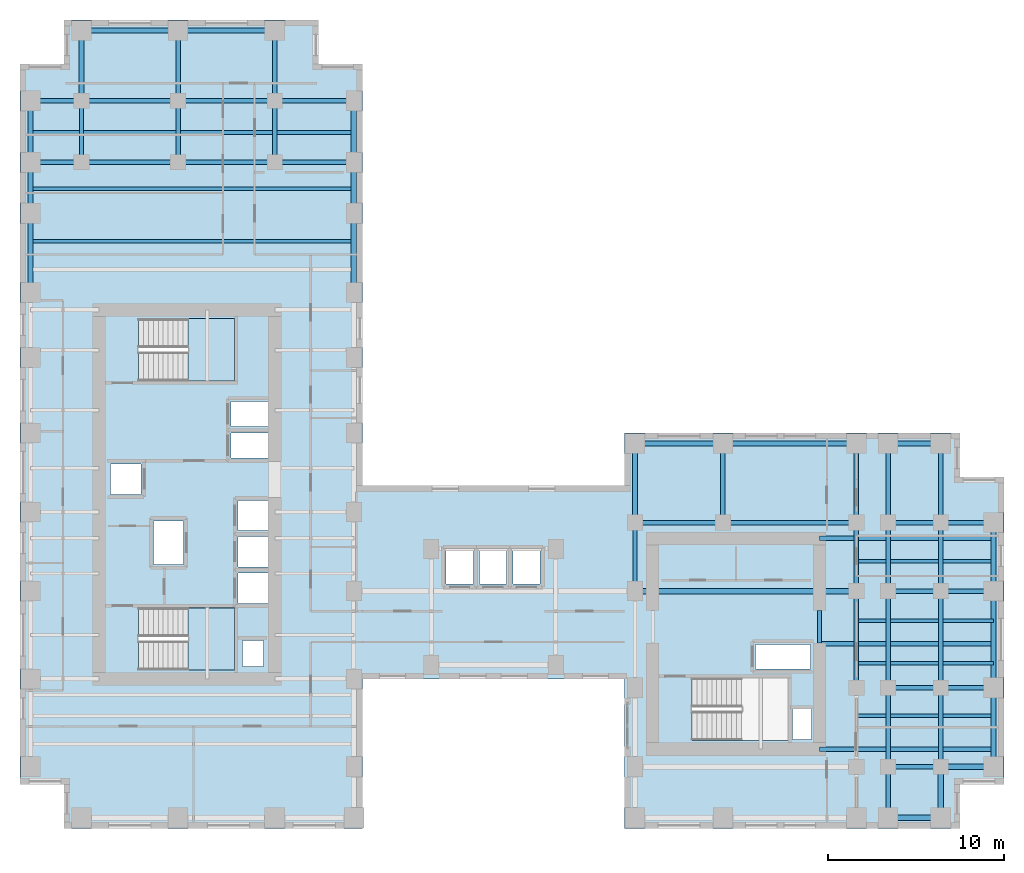
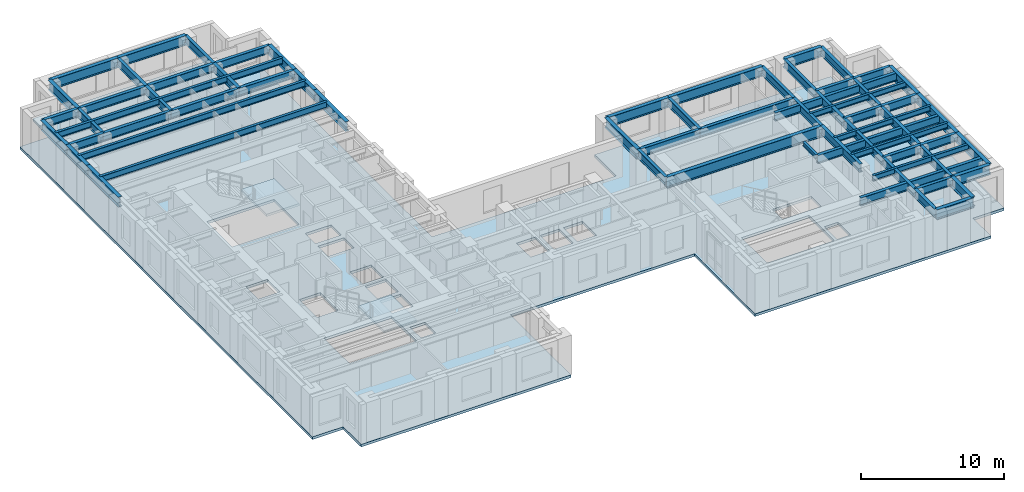
# One storey, part 3 of 12: 67 beams, 3 slabs, 2 elements without a shape of their own.
"""IFC4 building model written with IfcOpenShell, lengths in metres."""

from ifc_helpers import new_model, si_unit, direction, frame, origin, origin_2d, place, context, subcontext, project, spatial, polyline, i_section, outline, extrude, source, transform, mapped, material, layer, layer_set, material_profile, profile_set, type_object, element, aggregate, save


model = new_model("IFC4")

# Units and contexts
model_context = context("Model", 3, precision=1e-05, world=origin(), true_north=direction((0.0, 1.0)))
body_context = subcontext(model_context, "Body", "Model", "MODEL_VIEW")
ifc_project = project(units=[si_unit("LENGTHUNIT", "METRE"), si_unit("AREAUNIT", "SQUARE_METRE"), si_unit("VOLUMEUNIT", "CUBIC_METRE"), si_unit("PLANEANGLEUNIT", "RADIAN"), si_unit("MASSUNIT", "GRAM", prefix="KILO")], contexts=[model_context])

# Site, building, storey
site_placement = place(None, origin())
site = spatial("IfcSite", under=ifc_project, at=site_placement, CompositionType="ELEMENT")
building_placement = place(site_placement, origin())
building = spatial("IfcBuilding", under=site, at=building_placement, Name="Kharzan Plaza Tower", CompositionType="ELEMENT")
storey_placement = place(building_placement, frame((0.0, 0.0, 117.0)))
storey = spatial("IfcBuildingStorey", under=building, at=storey_placement, Name="L31", CompositionType="ELEMENT", Elevation=117.0)

# Beams
ifc_material_1 = material(Name="Steel S355", Category="steel")
ifc_material_profile_1 = material_profile(ifc_material_1, i_section(OverallWidth=0.205078125, OverallDepth=0.35400390625, WebThickness=0.009521484375, FlangeThickness=0.016845703125, at=origin_2d()), Name="W360x79")
ifc_profile_set_1 = profile_set([ifc_material_profile_1], Name="Steel S355")
beam_type_1 = type_object("IfcBeamType", Name="BM-LNT360", PredefinedType="LINTEL", material=ifc_profile_set_1)
shared_shape_1 = source(origin(), body_context, "Body", "SweptSolid", [
    extrude(i_section(OverallWidth=0.205078125, OverallDepth=0.35400390625, WebThickness=0.009521484375, FlangeThickness=0.016845703125, at=origin_2d()), origin(), (0.0, 0.0, 1.0), 1.849853515625),
])
beam_1_placement = place(storey_placement, frame((45.5, 10.550048828125, 3.202880859375), z_axis=(0.0, 1.0, 0.0), x_axis=(-1.0, 0.0, 0.0)))
element("IfcBeam", 1, at=beam_1_placement, inside=storey, type_object=beam_type_1, Name="L31 CORE-B coupling lintel LN1-WE", PredefinedType="LINTEL", context=body_context, shape_type="MappedRepresentation", body=[
    mapped(shared_shape_1, transform((0.0, 0.0, 0.0), x_axis=(1.0, 0.0, 0.0), y_axis=(0.0, 1.0, 0.0), z_axis=(0.0, 0.0, 1.0))),
])
ifc_material_profile_2 = material_profile(ifc_material_1, i_section(OverallWidth=0.304931640625, OverallDepth=0.9189453125, WebThickness=0.017333984375, FlangeThickness=0.02783203125, at=origin_2d()), Name="W920x253")
ifc_profile_set_2 = profile_set([ifc_material_profile_2], Name="Steel S355")
beam_type_2 = type_object("IfcBeamType", Name="BM-FG920B", PredefinedType="BEAM", material=ifc_profile_set_2)
shared_shape_2 = source(origin(), body_context, "Body", "SweptSolid", [
    extrude(i_section(OverallWidth=0.304931640625, OverallDepth=0.9189453125, WebThickness=0.017333984375, FlangeThickness=0.02783203125, at=origin_2d()), origin(), (0.0, 0.0, 1.0), 12.60009765625),
])
beam_2_placement = place(storey_placement, frame((35.0, 13.5, 2.92041015625), z_axis=(1.0, 0.0, 0.0), x_axis=(0.0, 1.0, 0.0)))
element("IfcBeam", 2, at=beam_2_placement, inside=storey, type_object=beam_type_2, Name="L31 Primary Floor Girder", PredefinedType="BEAM", context=body_context, shape_type="MappedRepresentation", body=[
    mapped(shared_shape_2, transform((0.0, 0.0, 0.0), x_axis=(1.0, 0.0, 0.0), y_axis=(0.0, 1.0, 0.0), z_axis=(0.0, 0.0, 1.0))),
])
ifc_material_profile_3 = material_profile(ifc_material_1, i_section(OverallWidth=0.2099609375, OverallDepth=0.537109375, WebThickness=0.010986328125, FlangeThickness=0.017333984375, at=origin_2d()), Name="W530x101")
ifc_profile_set_3 = profile_set([ifc_material_profile_3], Name="Steel S355")
beam_type_3 = type_object("IfcBeamType", Name="BM-JST530B", PredefinedType="JOIST", material=ifc_profile_set_3)
shared_shape_3 = source(origin(), body_context, "Body", "SweptSolid", [
    extrude(i_section(OverallWidth=0.2099609375, OverallDepth=0.537109375, WebThickness=0.010986328125, FlangeThickness=0.017333984375, at=origin_2d()), origin(), (0.0, 0.0, 1.0), 18.39990234375),
])
for number, where, z_axis, x_axis, name in (
    (3, (0.60009765625, 33.39990234375, 3.111572265625), (1.0, 0.0, 0.0), (0.0, 1.0, 0.0), "L31 Wing A Composite Joist 05"),
    (4, (0.60009765625, 36.39990234375, 3.111572265625), (1.0, 0.0, 0.0), (0.0, 1.0, 0.0), "L31 Wing A Composite Joist 06"),
    (5, (0.60009765625, 39.60009765625, 3.111572265625), (1.0, 0.0, 0.0), (0.0, 1.0, 0.0), "L31 Wing A Composite Joist 07"),
):
    element("IfcBeam", number, at=place(storey_placement, frame(where, z_axis=z_axis, x_axis=x_axis)), inside=storey, type_object=beam_type_3, Name=name, PredefinedType="JOIST", context=body_context, shape_type="MappedRepresentation", body=[
        mapped(shared_shape_3, transform((0.0, 0.0, 0.0), x_axis=(1.0, 0.0, 0.0), y_axis=(0.0, 1.0, 0.0), z_axis=(0.0, 0.0, 1.0))),
    ])
ifc_material_profile_4 = material_profile(ifc_material_1, i_section(OverallWidth=0.25390625, OverallDepth=0.68798828125, WebThickness=0.01318359375, FlangeThickness=0.02099609375, at=origin_2d()), Name="W690x152")
ifc_profile_set_4 = profile_set([ifc_material_profile_4], Name="Steel S355")
beam_type_4 = type_object("IfcBeamType", Name="BM-FG690B", PredefinedType="BEAM", material=ifc_profile_set_4)
shared_shape_4 = source(origin(), body_context, "Body", "SweptSolid", [
    extrude(i_section(OverallWidth=0.25390625, OverallDepth=0.68798828125, WebThickness=0.01318359375, FlangeThickness=0.02099609375, at=origin_2d()), origin(), (0.0, 0.0, 1.0), 4.5),
])
for number, where, z_axis, x_axis, name in (
    (6, (40.0, 17.39990234375, 3.035888671875), (0.0, 1.0, 0.0), (-1.0, 0.0, 0.0), "L31 Interior Frame Girder"),
    (7, (47.60009765625, 17.39990234375, 3.035888671875), (0.0, 1.0, 0.0), (-1.0, 0.0, 0.0), "L31 Interior Frame Girder"),
    (8, (49.39990234375, 3.5, 3.035888671875), (0.0, 1.0, 0.0), (-1.0, 0.0, 0.0), "L31 Interior Frame Girder"),
    (9, (49.39990234375, 17.39990234375, 3.035888671875), (0.0, 1.0, 0.0), (-1.0, 0.0, 0.0), "L31 Interior Frame Girder"),
    (10, (52.39990234375, 3.5, 3.035888671875), (0.0, 1.0, 0.0), (-1.0, 0.0, 0.0), "L31 Interior Frame Girder"),
    (11, (52.39990234375, 17.39990234375, 3.035888671875), (0.0, 1.0, 0.0), (-1.0, 0.0, 0.0), "L31 Interior Frame Girder"),
    (12, (14.5, 37.89990234375, 3.035888671875), (1.0, 0.0, 0.0), (0.0, 1.0, 0.0), "L31 Primary Floor Girder"),
    (13, (14.5, 41.39990234375, 3.035888671875), (1.0, 0.0, 0.0), (0.0, 1.0, 0.0), "L31 Primary Floor Girder"),
):
    element("IfcBeam", number, at=place(storey_placement, frame(where, z_axis=z_axis, x_axis=x_axis)), inside=storey, type_object=beam_type_4, Name=name, PredefinedType="BEAM", context=body_context, shape_type="MappedRepresentation", body=[
        mapped(shared_shape_4, transform((0.0, 0.0, 0.0), x_axis=(1.0, 0.0, 0.0), y_axis=(0.0, 1.0, 0.0), z_axis=(0.0, 0.0, 1.0))),
    ])
shared_shape_5 = source(origin(), body_context, "Body", "SweptSolid", [
    extrude(i_section(OverallWidth=0.25390625, OverallDepth=0.68798828125, WebThickness=0.01318359375, FlangeThickness=0.02099609375, at=origin_2d()), origin(), (0.0, 0.0, 1.0), 3.89990234375),
])
for number, where, z_axis, x_axis, name in (
    (14, (35.0, 13.5, 3.035888671875), (0.0, 1.0, 0.0), (-1.0, 0.0, 0.0), "L31 Interior Frame Girder"),
    (15, (47.60009765625, 13.5, 3.035888671875), (0.0, 1.0, 0.0), (-1.0, 0.0, 0.0), "L31 Interior Frame Girder"),
    (16, (49.39990234375, 13.5, 3.035888671875), (0.0, 1.0, 0.0), (-1.0, 0.0, 0.0), "L31 Interior Frame Girder"),
    (17, (52.39990234375, 13.5, 3.035888671875), (0.0, 1.0, 0.0), (-1.0, 0.0, 0.0), "L31 Interior Frame Girder"),
):
    element("IfcBeam", number, at=place(storey_placement, frame(where, z_axis=z_axis, x_axis=x_axis)), inside=storey, type_object=beam_type_4, Name=name, PredefinedType="BEAM", context=body_context, shape_type="MappedRepresentation", body=[
        mapped(shared_shape_5, transform((0.0, 0.0, 0.0), x_axis=(1.0, 0.0, 0.0), y_axis=(0.0, 1.0, 0.0), z_axis=(0.0, 0.0, 1.0))),
    ])
shared_shape_6 = source(origin(), body_context, "Body", "SweptSolid", [
    extrude(i_section(OverallWidth=0.25390625, OverallDepth=0.68798828125, WebThickness=0.01318359375, FlangeThickness=0.02099609375, at=origin_2d()), origin(), (0.0, 0.0, 1.0), 9.89990234375),
])
for number, where, z_axis, x_axis, name in (
    (18, (45.5, 4.5, 3.035888671875), (1.0, 0.0, 0.0), (0.0, 1.0, 0.0), "L31 Core-B East Floor Girder 1"),
    (19, (45.5, 10.5, 3.035888671875), (1.0, 0.0, 0.0), (0.0, 1.0, 0.0), "L31 Core-B East Floor Girder 2"),
    (20, (45.5, 16.5, 3.035888671875), (1.0, 0.0, 0.0), (0.0, 1.0, 0.0), "L31 Core-B East Floor Girder 3"),
):
    element("IfcBeam", number, at=place(storey_placement, frame(where, z_axis=z_axis, x_axis=x_axis)), inside=storey, type_object=beam_type_4, Name=name, PredefinedType="BEAM", context=body_context, shape_type="MappedRepresentation", body=[
        mapped(shared_shape_6, transform((0.0, 0.0, 0.0), x_axis=(1.0, 0.0, 0.0), y_axis=(0.0, 1.0, 0.0), z_axis=(0.0, 0.0, 1.0))),
    ])
shared_shape_7 = source(origin(), body_context, "Body", "SweptSolid", [
    extrude(i_section(OverallWidth=0.25390625, OverallDepth=0.68798828125, WebThickness=0.01318359375, FlangeThickness=0.02099609375, at=origin_2d()), origin(), (0.0, 0.0, 1.0), 3.5),
])
for number, where, z_axis, x_axis, name in (
    (21, (3.5, 37.89990234375, 3.035888671875), (0.0, 1.0, 0.0), (-1.0, 0.0, 0.0), "L31 Interior Frame Girder"),
    (22, (9.0, 37.89990234375, 3.035888671875), (0.0, 1.0, 0.0), (-1.0, 0.0, 0.0), "L31 Interior Frame Girder"),
    (23, (14.5, 37.89990234375, 3.035888671875), (0.0, 1.0, 0.0), (-1.0, 0.0, 0.0), "L31 Interior Frame Girder"),
):
    element("IfcBeam", number, at=place(storey_placement, frame(where, z_axis=z_axis, x_axis=x_axis)), inside=storey, type_object=beam_type_4, Name=name, PredefinedType="BEAM", context=body_context, shape_type="MappedRepresentation", body=[
        mapped(shared_shape_7, transform((0.0, 0.0, 0.0), x_axis=(1.0, 0.0, 0.0), y_axis=(0.0, 1.0, 0.0), z_axis=(0.0, 0.0, 1.0))),
    ])
shared_shape_8 = source(origin(), body_context, "Body", "SweptSolid", [
    extrude(i_section(OverallWidth=0.25390625, OverallDepth=0.68798828125, WebThickness=0.01318359375, FlangeThickness=0.02099609375, at=origin_2d()), origin(), (0.0, 0.0, 1.0), 4.0),
])
for number, where, z_axis, x_axis, name in (
    (24, (9.0, 41.39990234375, 3.035888671875), (0.0, 1.0, 0.0), (-1.0, 0.0, 0.0), "L31 Interior Frame Girder"),
    (25, (14.5, 41.39990234375, 3.035888671875), (0.0, 1.0, 0.0), (-1.0, 0.0, 0.0), "L31 Interior Frame Girder"),
):
    element("IfcBeam", number, at=place(storey_placement, frame(where, z_axis=z_axis, x_axis=x_axis)), inside=storey, type_object=beam_type_4, Name=name, PredefinedType="BEAM", context=body_context, shape_type="MappedRepresentation", body=[
        mapped(shared_shape_8, transform((0.0, 0.0, 0.0), x_axis=(1.0, 0.0, 0.0), y_axis=(0.0, 1.0, 0.0), z_axis=(0.0, 0.0, 1.0))),
    ])
shared_shape_9 = source(origin(), body_context, "Body", "SweptSolid", [
    extrude(i_section(OverallWidth=0.25390625, OverallDepth=0.68798828125, WebThickness=0.01318359375, FlangeThickness=0.02099609375, at=origin_2d()), origin(), (0.0, 0.0, 1.0), 5.0),
])
beam_3_placement = place(storey_placement, frame((35.0, 17.39990234375, 3.035888671875), z_axis=(1.0, 0.0, 0.0), x_axis=(0.0, 1.0, 0.0)))
element("IfcBeam", 26, at=beam_3_placement, inside=storey, type_object=beam_type_4, Name="L31 Primary Floor Girder", PredefinedType="BEAM", context=body_context, shape_type="MappedRepresentation", body=[
    mapped(shared_shape_9, transform((0.0, 0.0, 0.0), x_axis=(1.0, 0.0, 0.0), y_axis=(0.0, 1.0, 0.0), z_axis=(0.0, 0.0, 1.0))),
])
shared_shape_10 = source(origin(), body_context, "Body", "SweptSolid", [
    extrude(i_section(OverallWidth=0.25390625, OverallDepth=0.68798828125, WebThickness=0.01318359375, FlangeThickness=0.02099609375, at=origin_2d()), origin(), (0.0, 0.0, 1.0), 5.5),
])
for number, where, z_axis, x_axis, name in (
    (27, (47.60009765625, 8.0, 3.035888671875), (0.0, 1.0, 0.0), (-1.0, 0.0, 0.0), "L31 Interior Frame Girder"),
    (28, (49.39990234375, 8.0, 3.035888671875), (0.0, 1.0, 0.0), (-1.0, 0.0, 0.0), "L31 Interior Frame Girder"),
    (29, (52.39990234375, 8.0, 3.035888671875), (0.0, 1.0, 0.0), (-1.0, 0.0, 0.0), "L31 Interior Frame Girder"),
    (30, (3.5, 37.89990234375, 3.035888671875), (1.0, 0.0, 0.0), (0.0, 1.0, 0.0), "L31 Primary Floor Girder"),
    (31, (9.0, 37.89990234375, 3.035888671875), (1.0, 0.0, 0.0), (0.0, 1.0, 0.0), "L31 Primary Floor Girder"),
    (32, (3.5, 41.39990234375, 3.035888671875), (1.0, 0.0, 0.0), (0.0, 1.0, 0.0), "L31 Primary Floor Girder"),
    (33, (9.0, 41.39990234375, 3.035888671875), (1.0, 0.0, 0.0), (0.0, 1.0, 0.0), "L31 Primary Floor Girder"),
):
    element("IfcBeam", number, at=place(storey_placement, frame(where, z_axis=z_axis, x_axis=x_axis)), inside=storey, type_object=beam_type_4, Name=name, PredefinedType="BEAM", context=body_context, shape_type="MappedRepresentation", body=[
        mapped(shared_shape_10, transform((0.0, 0.0, 0.0), x_axis=(1.0, 0.0, 0.0), y_axis=(0.0, 1.0, 0.0), z_axis=(0.0, 0.0, 1.0))),
    ])
shared_shape_11 = source(origin(), body_context, "Body", "SweptSolid", [
    extrude(i_section(OverallWidth=0.25390625, OverallDepth=0.68798828125, WebThickness=0.01318359375, FlangeThickness=0.02099609375, at=origin_2d()), origin(), (0.0, 0.0, 1.0), 2.89990234375),
])
for number, where, z_axis, x_axis, name in (
    (34, (49.39990234375, 0.60009765625, 3.035888671875), (0.0, 1.0, 0.0), (-1.0, 0.0, 0.0), "L31 Interior Frame Girder"),
    (35, (0.60009765625, 37.89990234375, 3.035888671875), (1.0, 0.0, 0.0), (0.0, 1.0, 0.0), "L31 Primary Floor Girder"),
    (36, (0.60009765625, 41.39990234375, 3.035888671875), (1.0, 0.0, 0.0), (0.0, 1.0, 0.0), "L31 Primary Floor Girder"),
):
    element("IfcBeam", number, at=place(storey_placement, frame(where, z_axis=z_axis, x_axis=x_axis)), inside=storey, type_object=beam_type_4, Name=name, PredefinedType="BEAM", context=body_context, shape_type="MappedRepresentation", body=[
        mapped(shared_shape_11, transform((0.0, 0.0, 0.0), x_axis=(1.0, 0.0, 0.0), y_axis=(0.0, 1.0, 0.0), z_axis=(0.0, 0.0, 1.0))),
    ])
shared_shape_12 = source(origin(), body_context, "Body", "SweptSolid", [
    extrude(i_section(OverallWidth=0.25390625, OverallDepth=0.68798828125, WebThickness=0.01318359375, FlangeThickness=0.02099609375, at=origin_2d()), origin(), (0.0, 0.0, 1.0), 3.0),
])
for number, where, z_axis, x_axis, name in (
    (37, (49.39990234375, 3.5, 3.035888671875), (1.0, 0.0, 0.0), (0.0, 1.0, 0.0), "L31 Primary Floor Girder"),
    (38, (49.39990234375, 8.0, 3.035888671875), (1.0, 0.0, 0.0), (0.0, 1.0, 0.0), "L31 Primary Floor Girder"),
    (39, (52.39990234375, 8.0, 3.035888671875), (1.0, 0.0, 0.0), (0.0, 1.0, 0.0), "L31 Primary Floor Girder"),
    (40, (49.39990234375, 13.5, 3.035888671875), (1.0, 0.0, 0.0), (0.0, 1.0, 0.0), "L31 Primary Floor Girder"),
    (41, (52.39990234375, 13.5, 3.035888671875), (1.0, 0.0, 0.0), (0.0, 1.0, 0.0), "L31 Primary Floor Girder"),
    (42, (49.39990234375, 17.39990234375, 3.035888671875), (1.0, 0.0, 0.0), (0.0, 1.0, 0.0), "L31 Primary Floor Girder"),
    (43, (52.39990234375, 17.39990234375, 3.035888671875), (1.0, 0.0, 0.0), (0.0, 1.0, 0.0), "L31 Primary Floor Girder"),
):
    element("IfcBeam", number, at=place(storey_placement, frame(where, z_axis=z_axis, x_axis=x_axis)), inside=storey, type_object=beam_type_4, Name=name, PredefinedType="BEAM", context=body_context, shape_type="MappedRepresentation", body=[
        mapped(shared_shape_12, transform((0.0, 0.0, 0.0), x_axis=(1.0, 0.0, 0.0), y_axis=(0.0, 1.0, 0.0), z_axis=(0.0, 0.0, 1.0))),
    ])
shared_shape_13 = source(origin(), body_context, "Body", "SweptSolid", [
    extrude(i_section(OverallWidth=0.25390625, OverallDepth=0.68798828125, WebThickness=0.01318359375, FlangeThickness=0.02099609375, at=origin_2d()), origin(), (0.0, 0.0, 1.0), 7.60009765625),
])
beam_4_placement = place(storey_placement, frame((40.0, 17.39990234375, 3.035888671875), z_axis=(1.0, 0.0, 0.0), x_axis=(0.0, 1.0, 0.0)))
element("IfcBeam", 44, at=beam_4_placement, inside=storey, type_object=beam_type_4, Name="L31 Primary Floor Girder", PredefinedType="BEAM", context=body_context, shape_type="MappedRepresentation", body=[
    mapped(shared_shape_13, transform((0.0, 0.0, 0.0), x_axis=(1.0, 0.0, 0.0), y_axis=(0.0, 1.0, 0.0), z_axis=(0.0, 0.0, 1.0))),
])
ifc_material_profile_5 = material_profile(ifc_material_1, i_section(OverallWidth=0.194091796875, OverallDepth=0.468994140625, WebThickness=0.011474609375, FlangeThickness=0.0205078125, at=origin_2d()), Name="W460x106")
ifc_profile_set_5 = profile_set([ifc_material_profile_5], Name="Steel S355")
beam_type_5 = type_object("IfcBeamType", Name="BM-JST460", PredefinedType="JOIST", material=ifc_profile_set_5)
shared_shape_14 = source(origin(), body_context, "Body", "SweptSolid", [
    extrude(i_section(OverallWidth=0.194091796875, OverallDepth=0.468994140625, WebThickness=0.011474609375, FlangeThickness=0.0205078125, at=origin_2d()), origin(), (0.0, 0.0, 1.0), 7.7998046875),
])
for number, where, z_axis, x_axis, name in (
    (45, (47.60009765625, 6.39990234375, 3.1455078125), (1.0, 0.0, 0.0), (0.0, 1.0, 0.0), "L31 Wing B Composite Joist 02"),
    (46, (47.60009765625, 9.39990234375, 3.1455078125), (1.0, 0.0, 0.0), (0.0, 1.0, 0.0), "L31 Wing B Composite Joist 03"),
    (47, (47.60009765625, 11.800048828125, 3.1455078125), (1.0, 0.0, 0.0), (0.0, 1.0, 0.0), "L31 Wing B Composite Joist 04"),
    (48, (47.60009765625, 15.199951171875, 3.1455078125), (1.0, 0.0, 0.0), (0.0, 1.0, 0.0), "L31 Wing B Composite Joist 05"),
):
    element("IfcBeam", number, at=place(storey_placement, frame(where, z_axis=z_axis, x_axis=x_axis)), inside=storey, type_object=beam_type_5, Name=name, PredefinedType="JOIST", context=body_context, shape_type="MappedRepresentation", body=[
        mapped(shared_shape_14, transform((0.0, 0.0, 0.0), x_axis=(1.0, 0.0, 0.0), y_axis=(0.0, 1.0, 0.0), z_axis=(0.0, 0.0, 1.0))),
    ])
ifc_material_profile_6 = material_profile(ifc_material_1, i_section(OverallWidth=0.299072265625, OverallDepth=0.845947265625, WebThickness=0.015380859375, FlangeThickness=0.0244140625, at=origin_2d()), Name="W840x210")
ifc_profile_set_6 = profile_set([ifc_material_profile_6], Name="Steel S355")
beam_type_6 = type_object("IfcBeamType", Name="BM-SP840B", PredefinedType="SPANDREL", material=ifc_profile_set_6)
shared_shape_15 = source(origin(), body_context, "Body", "SweptSolid", [
    extrude(i_section(OverallWidth=0.299072265625, OverallDepth=0.845947265625, WebThickness=0.015380859375, FlangeThickness=0.0244140625, at=origin_2d()), origin(), (0.0, 0.0, 1.0), 5.0),
])
beam_5_placement = place(storey_placement, frame((35.0, 21.89990234375, 2.95703125), z_axis=(1.0, 0.0, 0.0), x_axis=(0.0, 1.0, 0.0)))
element("IfcBeam", 49, at=beam_5_placement, inside=storey, type_object=beam_type_6, Name="L31 Perimeter Tube Spandrel", PredefinedType="SPANDREL", context=body_context, shape_type="MappedRepresentation", body=[
    mapped(shared_shape_15, transform((0.0, 0.0, 0.0), x_axis=(1.0, 0.0, 0.0), y_axis=(0.0, 1.0, 0.0), z_axis=(0.0, 0.0, 1.0))),
])
shared_shape_16 = source(origin(), body_context, "Body", "SweptSolid", [
    extrude(i_section(OverallWidth=0.299072265625, OverallDepth=0.845947265625, WebThickness=0.015380859375, FlangeThickness=0.0244140625, at=origin_2d()), origin(), (0.0, 0.0, 1.0), 4.5),
])
for number, where, z_axis, x_axis, name in (
    (50, (0.60009765625, 30.5, 2.95703125), (0.0, 1.0, 0.0), (-1.0, 0.0, 0.0), "L31 Perimeter Tube Spandrel"),
    (51, (19.0, 30.5, 2.95703125), (0.0, 1.0, 0.0), (-1.0, 0.0, 0.0), "L31 Perimeter Tube Spandrel"),
    (52, (35.0, 17.39990234375, 2.95703125), (0.0, 1.0, 0.0), (-1.0, 0.0, 0.0), "L31 Perimeter Tube Spandrel"),
    (53, (55.39990234375, 3.5, 2.95703125), (0.0, 1.0, 0.0), (-1.0, 0.0, 0.0), "L31 Perimeter Tube Spandrel"),
):
    element("IfcBeam", number, at=place(storey_placement, frame(where, z_axis=z_axis, x_axis=x_axis)), inside=storey, type_object=beam_type_6, Name=name, PredefinedType="SPANDREL", context=body_context, shape_type="MappedRepresentation", body=[
        mapped(shared_shape_16, transform((0.0, 0.0, 0.0), x_axis=(1.0, 0.0, 0.0), y_axis=(0.0, 1.0, 0.0), z_axis=(0.0, 0.0, 1.0))),
    ])
shared_shape_17 = source(origin(), body_context, "Body", "SweptSolid", [
    extrude(i_section(OverallWidth=0.299072265625, OverallDepth=0.845947265625, WebThickness=0.015380859375, FlangeThickness=0.0244140625, at=origin_2d()), origin(), (0.0, 0.0, 1.0), 2.89990234375),
])
for number, where, z_axis, x_axis, name in (
    (54, (0.60009765625, 35.0, 2.95703125), (0.0, 1.0, 0.0), (-1.0, 0.0, 0.0), "L31 Perimeter Tube Spandrel"),
    (55, (19.0, 35.0, 2.95703125), (0.0, 1.0, 0.0), (-1.0, 0.0, 0.0), "L31 Perimeter Tube Spandrel"),
    (56, (52.39990234375, 0.60009765625, 2.95703125), (0.0, 1.0, 0.0), (-1.0, 0.0, 0.0), "L31 Perimeter Tube Spandrel"),
):
    element("IfcBeam", number, at=place(storey_placement, frame(where, z_axis=z_axis, x_axis=x_axis)), inside=storey, type_object=beam_type_6, Name=name, PredefinedType="SPANDREL", context=body_context, shape_type="MappedRepresentation", body=[
        mapped(shared_shape_17, transform((0.0, 0.0, 0.0), x_axis=(1.0, 0.0, 0.0), y_axis=(0.0, 1.0, 0.0), z_axis=(0.0, 0.0, 1.0))),
    ])
shared_shape_18 = source(origin(), body_context, "Body", "SweptSolid", [
    extrude(i_section(OverallWidth=0.299072265625, OverallDepth=0.845947265625, WebThickness=0.015380859375, FlangeThickness=0.0244140625, at=origin_2d()), origin(), (0.0, 0.0, 1.0), 3.5),
])
for number, where, z_axis, x_axis, name in (
    (57, (0.60009765625, 37.89990234375, 2.95703125), (0.0, 1.0, 0.0), (-1.0, 0.0, 0.0), "L31 Perimeter Tube Spandrel"),
    (58, (19.0, 37.89990234375, 2.95703125), (0.0, 1.0, 0.0), (-1.0, 0.0, 0.0), "L31 Perimeter Tube Spandrel"),
):
    element("IfcBeam", number, at=place(storey_placement, frame(where, z_axis=z_axis, x_axis=x_axis)), inside=storey, type_object=beam_type_6, Name=name, PredefinedType="SPANDREL", context=body_context, shape_type="MappedRepresentation", body=[
        mapped(shared_shape_18, transform((0.0, 0.0, 0.0), x_axis=(1.0, 0.0, 0.0), y_axis=(0.0, 1.0, 0.0), z_axis=(0.0, 0.0, 1.0))),
    ])
shared_shape_19 = source(origin(), body_context, "Body", "SweptSolid", [
    extrude(i_section(OverallWidth=0.299072265625, OverallDepth=0.845947265625, WebThickness=0.015380859375, FlangeThickness=0.0244140625, at=origin_2d()), origin(), (0.0, 0.0, 1.0), 4.0),
])
beam_6_placement = place(storey_placement, frame((3.5, 41.39990234375, 2.95703125), z_axis=(0.0, 1.0, 0.0), x_axis=(-1.0, 0.0, 0.0)))
element("IfcBeam", 59, at=beam_6_placement, inside=storey, type_object=beam_type_6, Name="L31 Perimeter Tube Spandrel", PredefinedType="SPANDREL", context=body_context, shape_type="MappedRepresentation", body=[
    mapped(shared_shape_19, transform((0.0, 0.0, 0.0), x_axis=(1.0, 0.0, 0.0), y_axis=(0.0, 1.0, 0.0), z_axis=(0.0, 0.0, 1.0))),
])
shared_shape_20 = source(origin(), body_context, "Body", "SweptSolid", [
    extrude(i_section(OverallWidth=0.299072265625, OverallDepth=0.845947265625, WebThickness=0.015380859375, FlangeThickness=0.0244140625, at=origin_2d()), origin(), (0.0, 0.0, 1.0), 5.5),
])
for number, where, z_axis, x_axis, name in (
    (60, (55.39990234375, 8.0, 2.95703125), (0.0, 1.0, 0.0), (-1.0, 0.0, 0.0), "L31 Perimeter Tube Spandrel"),
    (61, (3.5, 45.39990234375, 2.95703125), (1.0, 0.0, 0.0), (0.0, 1.0, 0.0), "L31 Perimeter Tube Spandrel"),
    (62, (9.0, 45.39990234375, 2.95703125), (1.0, 0.0, 0.0), (0.0, 1.0, 0.0), "L31 Perimeter Tube Spandrel"),
):
    element("IfcBeam", number, at=place(storey_placement, frame(where, z_axis=z_axis, x_axis=x_axis)), inside=storey, type_object=beam_type_6, Name=name, PredefinedType="SPANDREL", context=body_context, shape_type="MappedRepresentation", body=[
        mapped(shared_shape_20, transform((0.0, 0.0, 0.0), x_axis=(1.0, 0.0, 0.0), y_axis=(0.0, 1.0, 0.0), z_axis=(0.0, 0.0, 1.0))),
    ])
shared_shape_21 = source(origin(), body_context, "Body", "SweptSolid", [
    extrude(i_section(OverallWidth=0.299072265625, OverallDepth=0.845947265625, WebThickness=0.015380859375, FlangeThickness=0.0244140625, at=origin_2d()), origin(), (0.0, 0.0, 1.0), 3.89990234375),
])
beam_7_placement = place(storey_placement, frame((55.39990234375, 13.5, 2.95703125), z_axis=(0.0, 1.0, 0.0), x_axis=(-1.0, 0.0, 0.0)))
element("IfcBeam", 63, at=beam_7_placement, inside=storey, type_object=beam_type_6, Name="L31 Perimeter Tube Spandrel", PredefinedType="SPANDREL", context=body_context, shape_type="MappedRepresentation", body=[
    mapped(shared_shape_21, transform((0.0, 0.0, 0.0), x_axis=(1.0, 0.0, 0.0), y_axis=(0.0, 1.0, 0.0), z_axis=(0.0, 0.0, 1.0))),
])
shared_shape_22 = source(origin(), body_context, "Body", "SweptSolid", [
    extrude(i_section(OverallWidth=0.299072265625, OverallDepth=0.845947265625, WebThickness=0.015380859375, FlangeThickness=0.0244140625, at=origin_2d()), origin(), (0.0, 0.0, 1.0), 7.60009765625),
])
beam_8_placement = place(storey_placement, frame((40.0, 21.89990234375, 2.95703125), z_axis=(1.0, 0.0, 0.0), x_axis=(0.0, 1.0, 0.0)))
element("IfcBeam", 64, at=beam_8_placement, inside=storey, type_object=beam_type_6, Name="L31 Perimeter Tube Spandrel", PredefinedType="SPANDREL", context=body_context, shape_type="MappedRepresentation", body=[
    mapped(shared_shape_22, transform((0.0, 0.0, 0.0), x_axis=(1.0, 0.0, 0.0), y_axis=(0.0, 1.0, 0.0), z_axis=(0.0, 0.0, 1.0))),
])
shared_shape_23 = source(origin(), body_context, "Body", "SweptSolid", [
    extrude(i_section(OverallWidth=0.299072265625, OverallDepth=0.845947265625, WebThickness=0.015380859375, FlangeThickness=0.0244140625, at=origin_2d()), origin(), (0.0, 0.0, 1.0), 3.0),
])
for number, where, z_axis, x_axis, name in (
    (65, (49.39990234375, 0.60009765625, 2.95703125), (1.0, 0.0, 0.0), (0.0, 1.0, 0.0), "L31 Perimeter Tube Spandrel"),
    (66, (52.39990234375, 3.5, 2.95703125), (1.0, 0.0, 0.0), (0.0, 1.0, 0.0), "L31 Perimeter Tube Spandrel"),
    (67, (49.39990234375, 21.89990234375, 2.95703125), (1.0, 0.0, 0.0), (0.0, 1.0, 0.0), "L31 Perimeter Tube Spandrel"),
):
    element("IfcBeam", number, at=place(storey_placement, frame(where, z_axis=z_axis, x_axis=x_axis)), inside=storey, type_object=beam_type_6, Name=name, PredefinedType="SPANDREL", context=body_context, shape_type="MappedRepresentation", body=[
        mapped(shared_shape_23, transform((0.0, 0.0, 0.0), x_axis=(1.0, 0.0, 0.0), y_axis=(0.0, 1.0, 0.0), z_axis=(0.0, 0.0, 1.0))),
    ])

# Slab
ifc_material_2 = material(Name="Concrete C40/50", Category="concrete")
ifc_layer_1 = layer(ifc_material_2, 0.219970703125)
ifc_layer_set_1 = layer_set([ifc_layer_1], Name="Concrete C40/50")
slab_type_1 = type_object("IfcSlabType", Name="SL-FLOOR-220", PredefinedType="FLOOR", material=ifc_layer_set_1)
slab_1_placement = place(storey_placement, frame((0.0, 0.0, -0.219970703125)))
element("IfcSlab", 68, at=slab_1_placement, inside=storey, type_object=slab_type_1, Name="L31 Composite Structural Floor Slab 220 mm", PredefinedType="FLOOR", context=body_context, shape_type="SweptSolid", body=[
    extrude(outline(polyline([(34.39990234375, 19.5), (19.5, 19.5), (19.5, 43.5), (17.0, 43.5), (17.0, 46.0), (2.5, 46.0), (2.5, 43.5), (0.0, 43.5), (0.0, 2.5), (2.5, 2.5), (2.5, 0.0), (19.5, 0.0), (19.5, 8.5), (34.39990234375, 8.5), (34.39990234375, 0.0), (53.5, 0.0), (53.5, 2.5), (56.0, 2.5), (56.0, 20.0), (53.5, 20.0), (53.5, 22.5), (34.39990234375, 22.5), (34.39990234375, 19.5)]), holes=[polyline([(12.199951171875, 9.0), (12.199951171875, 12.550048828125), (6.75, 12.550048828125), (6.75, 9.0), (12.199951171875, 9.0)]), polyline([(14.10009765625, 12.800048828125), (14.10009765625, 14.530029296875), (12.39990234375, 14.530029296875), (12.39990234375, 12.800048828125), (14.10009765625, 12.800048828125)]), polyline([(14.10009765625, 14.8701171875), (14.10009765625, 16.60009765625), (12.39990234375, 16.60009765625), (12.39990234375, 14.8701171875), (14.10009765625, 14.8701171875)]), polyline([(9.300048828125, 15.0), (9.300048828125, 17.5), (7.60009765625, 17.5), (7.60009765625, 15.0), (9.300048828125, 15.0)]), polyline([(6.89990234375, 19.010009765625), (6.89990234375, 20.72998046875), (5.14990234375, 20.72998046875), (5.14990234375, 19.010009765625), (6.89990234375, 19.010009765625)]), polyline([(14.10009765625, 21.070068359375), (14.10009765625, 22.489990234375), (12.0, 22.489990234375), (12.0, 21.070068359375), (14.10009765625, 21.070068359375)]), polyline([(14.10009765625, 22.8701171875), (14.10009765625, 24.2900390625), (12.0, 24.2900390625), (12.0, 22.8701171875), (14.10009765625, 22.8701171875)]), polyline([(12.199951171875, 25.449951171875), (12.199951171875, 29.0), (6.75, 29.0), (6.75, 25.449951171875), (12.199951171875, 25.449951171875)]), polyline([(45.050048828125, 5.050048828125), (45.050048828125, 6.800048828125), (43.949951171875, 6.800048828125), (43.949951171875, 5.050048828125), (45.050048828125, 5.050048828125)]), polyline([(43.699951171875, 5.0), (43.699951171875, 8.550048828125), (38.25, 8.550048828125), (38.25, 5.0), (43.699951171875, 5.0)]), polyline([(45.0, 9.070068359375), (45.0, 10.469970703125), (41.85009765625, 10.469970703125), (41.85009765625, 9.070068359375), (45.0, 9.070068359375)]), polyline([(13.85009765625, 9.199951171875), (13.85009765625, 10.699951171875), (12.64990234375, 10.699951171875), (12.64990234375, 9.199951171875), (13.85009765625, 9.199951171875)]), polyline([(25.800048828125, 13.89990234375), (25.800048828125, 15.85009765625), (24.25, 15.85009765625), (24.25, 13.89990234375), (25.800048828125, 13.89990234375)]), polyline([(27.699951171875, 13.89990234375), (27.699951171875, 15.85009765625), (26.14990234375, 15.85009765625), (26.14990234375, 13.89990234375), (27.699951171875, 13.89990234375)]), polyline([(29.60009765625, 13.89990234375), (29.60009765625, 15.85009765625), (28.050048828125, 15.85009765625), (28.050048828125, 13.89990234375), (29.60009765625, 13.89990234375)]), polyline([(14.10009765625, 16.93994140625), (14.10009765625, 18.64990234375), (12.39990234375, 18.64990234375), (12.39990234375, 16.93994140625), (14.10009765625, 16.93994140625)])]), origin(), (0.0, 0.0, 1.0), 0.219970703125),
])

# Stair, slab
stair_type_1 = type_object("IfcStairType", Name="STR-ST-1", PredefinedType="HALF_TURN_STAIR", material=ifc_material_2)
stair_1_placement = place(storey_placement, origin())
stair_1 = element("IfcStair", 69, at=stair_1_placement, inside=storey, type_object=stair_type_1, Name="L31 Protected Exit Stair ST-1", PredefinedType="HALF_TURN_STAIR")
ifc_layer_2 = layer(ifc_material_2, 0.219970703125)
ifc_layer_set_2 = layer_set([ifc_layer_2], Name="Concrete C40/50")
slab_type_2 = type_object("IfcSlabType", Name="SL-LANDING-220", PredefinedType="LANDING", material=ifc_layer_set_2)
slab_2_placement = place(storey_placement, frame((0.0, 0.0, 1.60009765625)))
slab_2 = element("IfcSlab", 70, at=slab_2_placement, type_object=slab_type_2, Name="ST-1 landing 1", PredefinedType="LANDING", context=body_context, shape_type="SweptSolid", body=[
    extrude(outline(polyline([(9.550048828125, 9.0), (12.199951171875, 9.0), (12.199951171875, 12.550048828125), (9.550048828125, 12.550048828125), (9.550048828125, 9.0)])), origin(), (0.0, 0.0, 1.0), 0.199951171875),
])
aggregate(stair_1, [slab_2])

stair_type_2 = type_object("IfcStairType", Name="STR-ST-2", PredefinedType="HALF_TURN_STAIR", material=ifc_material_2)
stair_2_placement = place(storey_placement, origin())
stair_2 = element("IfcStair", 71, at=stair_2_placement, inside=storey, type_object=stair_type_2, Name="L31 Protected Exit Stair ST-2", PredefinedType="HALF_TURN_STAIR")
slab_3_placement = place(storey_placement, frame((0.0, 0.0, 1.60009765625)))
slab_3 = element("IfcSlab", 72, at=slab_3_placement, type_object=slab_type_2, Name="ST-2 landing 1", PredefinedType="LANDING", context=body_context, shape_type="SweptSolid", body=[
    extrude(outline(polyline([(9.550048828125, 25.449951171875), (12.199951171875, 25.449951171875), (12.199951171875, 29.0), (9.550048828125, 29.0), (9.550048828125, 25.449951171875)])), origin(), (0.0, 0.0, 1.0), 0.199951171875),
])
aggregate(stair_2, [slab_3])

save(model, "model.ifc")
